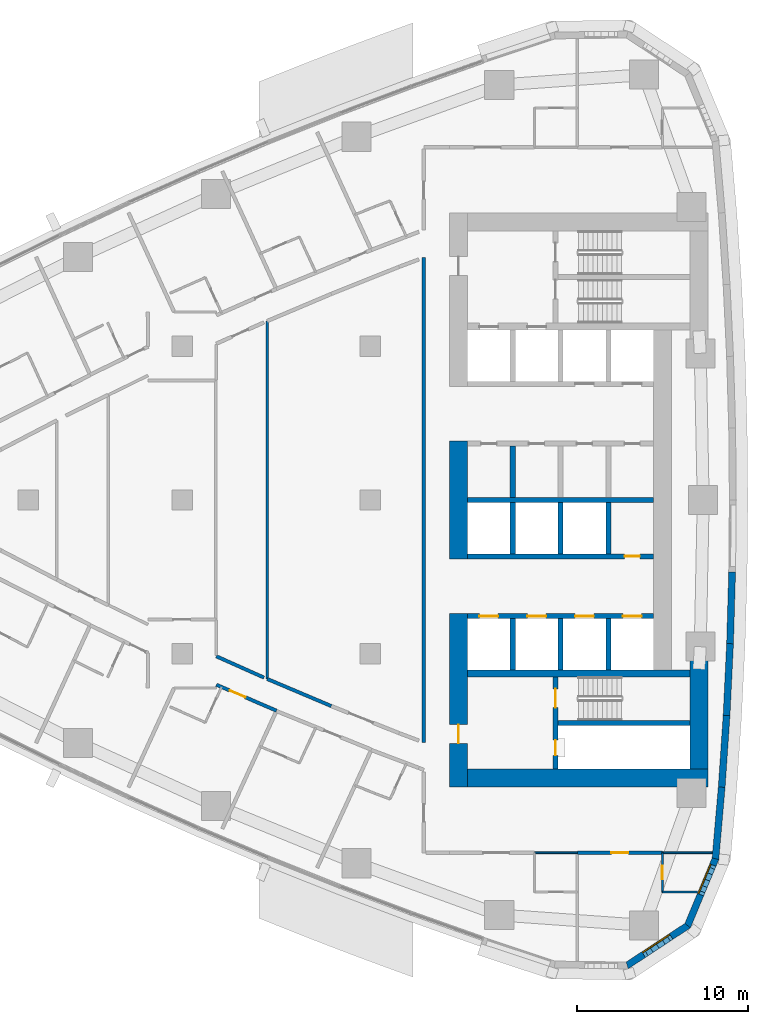
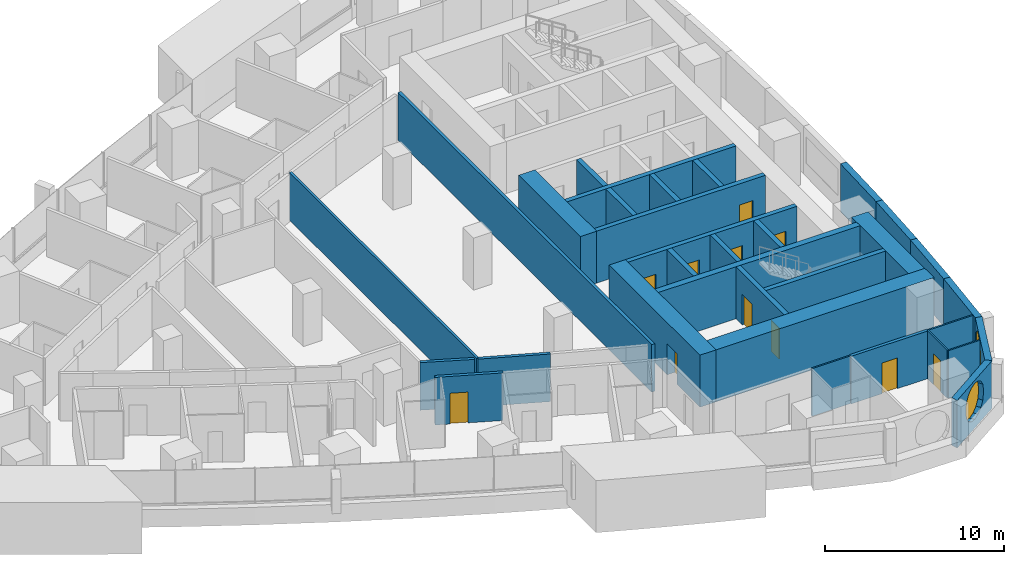
# One storey, part 10 of 17: 33 walls, 11 doors, 2 windows, 13 openings.
"""IFC4 building model written with IfcOpenShell, lengths in metres."""

from ifc_helpers import new_model, si_unit, direction, frame, frame_2d, origin, place, context, subcontext, project, spatial, polyline, rectangle, outline, extrude, material, layer, layer_set, type_object, element, fill, save


model = new_model("IFC4")

# Units and contexts
model_context = context("Model", 3, precision=1e-05, world=origin(), true_north=direction((0.0, 1.0)))
body_context = subcontext(model_context, "Body", "Model", "MODEL_VIEW")
ifc_project = project(units=[si_unit("LENGTHUNIT", "METRE"), si_unit("AREAUNIT", "SQUARE_METRE"), si_unit("VOLUMEUNIT", "CUBIC_METRE"), si_unit("PLANEANGLEUNIT", "RADIAN"), si_unit("MASSUNIT", "GRAM", prefix="KILO")], contexts=[model_context])

# Site, building, storey
site_placement = place(None, origin())
site = spatial("IfcSite", under=ifc_project, at=site_placement, CompositionType="ELEMENT")
building_placement = place(site_placement, origin())
building = spatial("IfcBuilding", under=site, at=building_placement, Name="Ostrand Prow Hotel Tower", CompositionType="ELEMENT")
storey_placement = place(building_placement, frame((0.0, 0.0, 109.75)))
storey = spatial("IfcBuildingStorey", under=building, at=storey_placement, Name="L26", CompositionType="ELEMENT", Elevation=109.75)

# Wall
ifc_material_1 = material(Name="Concrete C80/95", Category="concrete")
ifc_layer_1 = layer(ifc_material_1, 1.050048828125)
ifc_layer_set_1 = layer_set([ifc_layer_1], Name="Concrete C80/95")
wall_type_1 = type_object("IfcWallType", Name="Core wall 1050 C80/95", PredefinedType="SHEAR", material=ifc_layer_set_1)
wall_1_placement = place(storey_placement, frame((50.175048828125, -3.449951171875, 0.0), z_axis=(0.0, 0.0, 1.0), x_axis=(0.0, 1.0, 0.0)))
element("IfcWall", 1, at=wall_1_placement, inside=storey, type_object=wall_type_1, Name="Core wall CW-W-C", PredefinedType="SHEAR", context=body_context, shape_type="SweptSolid", body=[
    extrude(rectangle(XDim=6.89990234375, YDim=1.050048828125, at=frame_2d((3.449951171875, 0.0))), origin(), (0.0, 0.0, 1.0), 3.550048828125),
])

# Wall, opening, door
wall_2_placement = place(storey_placement, frame((50.175048828125, -16.800048828125, 0.0), z_axis=(0.0, 0.0, 1.0), x_axis=(0.0, 1.0, 0.0)))
wall_2 = element("IfcWall", 2, at=wall_2_placement, inside=storey, type_object=wall_type_1, Name="Core wall CW-W-S", PredefinedType="SHEAR", context=body_context, shape_type="SweptSolid", body=[
    extrude(rectangle(XDim=10.150146484375, YDim=1.050048828125, at=frame_2d((5.0751953125, 0.0))), origin(), (0.0, 0.0, 1.0), 3.550048828125),
])
opening_1_placement = place(wall_2_placement, frame((2.550048828125, 0.0, 0.0)))
opening_1 = element("IfcOpeningElement", 3, at=opening_1_placement, cuts=wall_2, Name="Opening FD1", PredefinedType="OPENING", context=body_context, shape_type="SweptSolid", body=[
    extrude(rectangle(XDim=1.10009765625, YDim=2.10009765625, at=frame_2d((0.550048828125, 1.050048828125))), frame((0.0, 0.534912109375, 0.0), z_axis=(0.0, -1.0, 0.0), x_axis=(1.0, 0.0, 0.0)), (0.0, 0.0, 1.0), 1.070068359375),
])
ifc_material_2 = material(Name="Steel fire door", Category="steel")
door_type_1 = type_object("IfcDoorType", Name="Fire door 1100 EI120", OperationType="SINGLE_SWING_RIGHT", PredefinedType="DOOR", material=ifc_material_2)
door_1_placement = place(opening_1_placement, origin())
door_1 = element("IfcDoor", 4, at=door_1_placement, inside=storey, type_object=door_type_1, Name="FIRE DOOR", OperationType="SINGLE_SWING_RIGHT", OverallHeight=2.10009765625, OverallWidth=1.10009765625, PredefinedType="DOOR", context=body_context, shape_type="SweptSolid", body=[
    extrude(rectangle(XDim=1.10009765625, YDim=2.10009765625, at=frame_2d((0.550048828125, 1.050048828125))), frame((0.0, 0.02490234375, 0.0), z_axis=(0.0, -1.0, 0.0), x_axis=(1.0, 0.0, 0.0)), (0.0, 0.0, 1.0), 0.050048828125),
])
fill(opening_1, door_1)

# Walls
wall_3_placement = place(storey_placement, frame((50.699951171875, -16.27490234375, 0.0), z_axis=(0.0, 0.0, 1.0), x_axis=(1.0, 0.0, 0.0)))
element("IfcWall", 5, at=wall_3_placement, inside=storey, type_object=wall_type_1, Name="Core wall CW-S", PredefinedType="SHEAR", context=body_context, shape_type="SweptSolid", body=[
    extrude(rectangle(XDim=14.070068359375, YDim=1.050048828125, at=frame_2d((7.03515625, 0.0))), origin(), (0.0, 0.0, 1.0), 3.550048828125),
])
wall_4_placement = place(storey_placement, frame((64.2451171875, -15.75, 0.0), z_axis=(0.0, 0.0, 1.0), x_axis=(0.0, 1.0, 0.0)))
element("IfcWall", 6, at=wall_4_placement, inside=storey, type_object=wall_type_1, Name="Core wall CW-E-S", PredefinedType="SHEAR", context=body_context, shape_type="SweptSolid", body=[
    extrude(rectangle(XDim=6.361328125, YDim=1.050048828125, at=frame_2d((3.1806640625, 0.0))), origin(), (0.0, 0.0, 1.0), 3.550048828125),
])
ifc_material_3 = material(Name="Concrete C80/95", Category="concrete")
ifc_layer_2 = layer(ifc_material_3, 0.300048828125)
ifc_layer_set_2 = layer_set([ifc_layer_2], Name="Concrete C80/95")
wall_type_2 = type_object("IfcWallType", Name="Core wall 300 C80/95", PredefinedType="SHEAR", material=ifc_layer_set_2)
wall_5_placement = place(storey_placement, frame((50.699951171875, 0.0, 0.0), z_axis=(0.0, 0.0, 1.0), x_axis=(1.0, 0.0, 0.0)))
element("IfcWall", 7, at=wall_5_placement, inside=storey, type_object=wall_type_2, Name="Core wall PW-C", PredefinedType="SHEAR", context=body_context, shape_type="SweptSolid", body=[
    extrude(rectangle(XDim=10.900146484375, YDim=0.300048828125, at=frame_2d((5.4501953125, 0.0))), origin(), (0.0, 0.0, 1.0), 3.550048828125),
])
wall_6_placement = place(storey_placement, frame((53.35009765625, 0.14990234375, 0.0), z_axis=(0.0, 0.0, 1.0), x_axis=(0.0, 1.0, 0.0)))
element("IfcWall", 8, at=wall_6_placement, inside=storey, type_object=wall_type_2, Name="Core wall PW-R1-NB", PredefinedType="SHEAR", context=body_context, shape_type="SweptSolid", body=[
    extrude(rectangle(XDim=3.0, YDim=0.300048828125, at=frame_2d((1.5, 0.0))), origin(), (0.0, 0.0, 1.0), 3.550048828125),
])

# Wall, opening, door
wall_7_placement = place(storey_placement, frame((50.699951171875, -3.300048828125, 0.0), z_axis=(0.0, 0.0, 1.0), x_axis=(1.0, 0.0, 0.0)))
wall_7 = element("IfcWall", 9, at=wall_7_placement, inside=storey, type_object=wall_type_2, Name="Core wall PW-L1-S", PredefinedType="SHEAR", context=body_context, shape_type="SweptSolid", body=[
    extrude(rectangle(XDim=10.900146484375, YDim=0.300048828125, at=frame_2d((5.4501953125, 0.0))), origin(), (0.0, 0.0, 1.0), 3.550048828125),
])
opening_2_placement = place(wall_7_placement, frame((9.199951171875, 0.0, 0.0)))
opening_2 = element("IfcOpeningElement", 10, at=opening_2_placement, cuts=wall_7, Name="Opening FD2", PredefinedType="OPENING", context=body_context, shape_type="SweptSolid", body=[
    extrude(rectangle(XDim=0.89990234375, YDim=2.10009765625, at=frame_2d((0.449951171875, 1.050048828125))), frame((0.0, 0.159912109375, 0.0), z_axis=(0.0, -1.0, 0.0), x_axis=(1.0, 0.0, 0.0)), (0.0, 0.0, 1.0), 0.320068359375),
])
ifc_material_4 = material(Name="Steel fire door", Category="steel")
door_type_2 = type_object("IfcDoorType", Name="Fire door 900 EI120", OperationType="SINGLE_SWING_LEFT", PredefinedType="DOOR", material=ifc_material_4)
door_2_placement = place(opening_2_placement, origin())
door_2 = element("IfcDoor", 11, at=door_2_placement, inside=storey, type_object=door_type_2, Name="DOOR", OperationType="SINGLE_SWING_LEFT", OverallHeight=2.10009765625, OverallWidth=0.89990234375, PredefinedType="DOOR", context=body_context, shape_type="SweptSolid", body=[
    extrude(rectangle(XDim=0.89990234375, YDim=2.10009765625, at=frame_2d((0.449951171875, 1.050048828125))), frame((0.0, 0.02490234375, 0.0), z_axis=(0.0, -1.0, 0.0), x_axis=(1.0, 0.0, 0.0)), (0.0, 0.0, 1.0), 0.050048828125),
])
fill(opening_2, door_2)

# Wall, openings, doors
wall_8_placement = place(storey_placement, frame((50.699951171875, -6.800048828125, 0.0), z_axis=(0.0, 0.0, 1.0), x_axis=(1.0, 0.0, 0.0)))
wall_8 = element("IfcWall", 12, at=wall_8_placement, inside=storey, type_object=wall_type_2, Name="Core wall PW-L2-S", PredefinedType="SHEAR", context=body_context, shape_type="SweptSolid", body=[
    extrude(rectangle(XDim=10.900146484375, YDim=0.300048828125, at=frame_2d((5.4501953125, 0.0))), origin(), (0.0, 0.0, 1.0), 3.550048828125),
])
opening_3_placement = place(wall_8_placement, frame((0.699951171875, 0.0, 0.0)))
opening_3 = element("IfcOpeningElement", 13, at=opening_3_placement, cuts=wall_8, Name="Opening LD", PredefinedType="OPENING", context=body_context, shape_type="SweptSolid", body=[
    extrude(rectangle(XDim=1.10009765625, YDim=2.10009765625, at=frame_2d((0.550048828125, 1.050048828125))), frame((0.0, 0.159912109375, 0.0), z_axis=(0.0, -1.0, 0.0), x_axis=(1.0, 0.0, 0.0)), (0.0, 0.0, 1.0), 0.320068359375),
])
opening_4_placement = place(wall_8_placement, frame((3.5, 0.0, 0.0)))
opening_4 = element("IfcOpeningElement", 14, at=opening_4_placement, cuts=wall_8, Name="Opening LD", PredefinedType="OPENING", context=body_context, shape_type="SweptSolid", body=[
    extrude(rectangle(XDim=1.10009765625, YDim=2.10009765625, at=frame_2d((0.550048828125, 1.050048828125))), frame((0.0, 0.159912109375, 0.0), z_axis=(0.0, -1.0, 0.0), x_axis=(1.0, 0.0, 0.0)), (0.0, 0.0, 1.0), 0.320068359375),
])
opening_5_placement = place(wall_8_placement, frame((6.300048828125, 0.0, 0.0)))
opening_5 = element("IfcOpeningElement", 15, at=opening_5_placement, cuts=wall_8, Name="Opening LD", PredefinedType="OPENING", context=body_context, shape_type="SweptSolid", body=[
    extrude(rectangle(XDim=1.10009765625, YDim=2.10009765625, at=frame_2d((0.550048828125, 1.050048828125))), frame((0.0, 0.159912109375, 0.0), z_axis=(0.0, -1.0, 0.0), x_axis=(1.0, 0.0, 0.0)), (0.0, 0.0, 1.0), 0.320068359375),
])
opening_6_placement = place(wall_8_placement, frame((9.10009765625, 0.0, 0.0)))
opening_6 = element("IfcOpeningElement", 16, at=opening_6_placement, cuts=wall_8, Name="Opening LD", PredefinedType="OPENING", context=body_context, shape_type="SweptSolid", body=[
    extrude(rectangle(XDim=1.10009765625, YDim=2.10009765625, at=frame_2d((0.550048828125, 1.050048828125))), frame((0.0, 0.159912109375, 0.0), z_axis=(0.0, -1.0, 0.0), x_axis=(1.0, 0.0, 0.0)), (0.0, 0.0, 1.0), 0.320068359375),
])
ifc_material_5 = material(Name="Stainless steel door", Category="steel")
door_type_3 = type_object("IfcDoorType", Name="Lift landing door 1100", OperationType="DOUBLE_DOOR_SLIDING", PredefinedType="DOOR", material=ifc_material_5)
door_3_placement = place(opening_3_placement, origin())
door_3 = element("IfcDoor", 17, at=door_3_placement, inside=storey, type_object=door_type_3, Name="LIFT LANDING DOOR", OperationType="DOUBLE_DOOR_SLIDING", OverallHeight=2.10009765625, OverallWidth=1.10009765625, PredefinedType="DOOR", context=body_context, shape_type="SweptSolid", body=[
    extrude(rectangle(XDim=1.10009765625, YDim=2.10009765625, at=frame_2d((0.550048828125, 1.050048828125))), frame((0.0, 0.02490234375, 0.0), z_axis=(0.0, -1.0, 0.0), x_axis=(1.0, 0.0, 0.0)), (0.0, 0.0, 1.0), 0.050048828125),
])
fill(opening_3, door_3)
door_4_placement = place(opening_4_placement, origin())
door_4 = element("IfcDoor", 18, at=door_4_placement, inside=storey, type_object=door_type_3, Name="LIFT LANDING DOOR", OperationType="DOUBLE_DOOR_SLIDING", OverallHeight=2.10009765625, OverallWidth=1.10009765625, PredefinedType="DOOR", context=body_context, shape_type="SweptSolid", body=[
    extrude(rectangle(XDim=1.10009765625, YDim=2.10009765625, at=frame_2d((0.550048828125, 1.050048828125))), frame((0.0, 0.02490234375, 0.0), z_axis=(0.0, -1.0, 0.0), x_axis=(1.0, 0.0, 0.0)), (0.0, 0.0, 1.0), 0.050048828125),
])
fill(opening_4, door_4)
door_5_placement = place(opening_5_placement, origin())
door_5 = element("IfcDoor", 19, at=door_5_placement, inside=storey, type_object=door_type_3, Name="LIFT LANDING DOOR", OperationType="DOUBLE_DOOR_SLIDING", OverallHeight=2.10009765625, OverallWidth=1.10009765625, PredefinedType="DOOR", context=body_context, shape_type="SweptSolid", body=[
    extrude(rectangle(XDim=1.10009765625, YDim=2.10009765625, at=frame_2d((0.550048828125, 1.050048828125))), frame((0.0, 0.02490234375, 0.0), z_axis=(0.0, -1.0, 0.0), x_axis=(1.0, 0.0, 0.0)), (0.0, 0.0, 1.0), 0.050048828125),
])
fill(opening_5, door_5)
door_6_placement = place(opening_6_placement, origin())
door_6 = element("IfcDoor", 20, at=door_6_placement, inside=storey, type_object=door_type_3, Name="LIFT LANDING DOOR", OperationType="DOUBLE_DOOR_SLIDING", OverallHeight=2.10009765625, OverallWidth=1.10009765625, PredefinedType="DOOR", context=body_context, shape_type="SweptSolid", body=[
    extrude(rectangle(XDim=1.10009765625, YDim=2.10009765625, at=frame_2d((0.550048828125, 1.050048828125))), frame((0.0, 0.02490234375, 0.0), z_axis=(0.0, -1.0, 0.0), x_axis=(1.0, 0.0, 0.0)), (0.0, 0.0, 1.0), 0.050048828125),
])
fill(opening_6, door_6)

# Walls
for number, where, z_axis, x_axis, name in (
    (21, (53.35009765625, -3.14990234375, 0.0), (0.0, 0.0, 1.0), (0.0, 1.0, 0.0), "Core wall PW-R1-SB"),
    (22, (53.35009765625, -9.949951171875, 0.0), (0.0, 0.0, 1.0), (0.0, 1.0, 0.0), "Core wall PW-R1-SA"),
    (23, (56.14990234375, -3.14990234375, 0.0), (0.0, 0.0, 1.0), (0.0, 1.0, 0.0), "Core wall PW-R2-SB"),
    (24, (56.14990234375, -9.949951171875, 0.0), (0.0, 0.0, 1.0), (0.0, 1.0, 0.0), "Core wall PW-R2-SA"),
    (25, (58.949951171875, -3.14990234375, 0.0), (0.0, 0.0, 1.0), (0.0, 1.0, 0.0), "Core wall PW-R3-SB"),
    (26, (58.949951171875, -9.949951171875, 0.0), (0.0, 0.0, 1.0), (0.0, 1.0, 0.0), "Core wall PW-R3-SA"),
):
    element("IfcWall", number, at=place(storey_placement, frame(where, z_axis=z_axis, x_axis=x_axis)), inside=storey, type_object=wall_type_2, Name=name, PredefinedType="SHEAR", context=body_context, shape_type="SweptSolid", body=[
        extrude(rectangle(XDim=3.0, YDim=0.300048828125, at=frame_2d((1.5, 0.0))), origin(), (0.0, 0.0, 1.0), 3.550048828125),
    ])

# Wall, openings, doors
wall_9_placement = place(storey_placement, frame((55.85009765625, -15.75, 0.0), z_axis=(0.0, 0.0, 1.0), x_axis=(0.0, 1.0, 0.0)))
wall_9 = element("IfcWall", 27, at=wall_9_placement, inside=storey, type_object=wall_type_2, Name="Core wall PW-VS", PredefinedType="SHEAR", context=body_context, shape_type="SweptSolid", body=[
    extrude(rectangle(XDim=5.39990234375, YDim=0.300048828125, at=frame_2d((2.699951171875, 0.0))), origin(), (0.0, 0.0, 1.0), 3.550048828125),
])
opening_7_placement = place(wall_9_placement, frame((3.60009765625, 0.0, 0.0)))
opening_7 = element("IfcOpeningElement", 28, at=opening_7_placement, cuts=wall_9, Name="Opening FD1", PredefinedType="OPENING", context=body_context, shape_type="SweptSolid", body=[
    extrude(rectangle(XDim=1.10009765625, YDim=2.10009765625, at=frame_2d((0.550048828125, 1.050048828125))), frame((0.0, 0.159912109375, 0.0), z_axis=(0.0, -1.0, 0.0), x_axis=(1.0, 0.0, 0.0)), (0.0, 0.0, 1.0), 0.320068359375),
])
opening_8_placement = place(wall_9_placement, frame((0.800048828125, 0.0, 0.0)))
opening_8 = element("IfcOpeningElement", 29, at=opening_8_placement, cuts=wall_9, Name="Opening FD2", PredefinedType="OPENING", context=body_context, shape_type="SweptSolid", body=[
    extrude(rectangle(XDim=0.89990234375, YDim=2.10009765625, at=frame_2d((0.449951171875, 1.050048828125))), frame((0.0, 0.159912109375, 0.0), z_axis=(0.0, -1.0, 0.0), x_axis=(1.0, 0.0, 0.0)), (0.0, 0.0, 1.0), 0.320068359375),
])
door_7_placement = place(opening_7_placement, origin())
door_7 = element("IfcDoor", 30, at=door_7_placement, inside=storey, type_object=door_type_1, Name="FIRE DOOR", OperationType="SINGLE_SWING_RIGHT", OverallHeight=2.10009765625, OverallWidth=1.10009765625, PredefinedType="DOOR", context=body_context, shape_type="SweptSolid", body=[
    extrude(rectangle(XDim=1.10009765625, YDim=2.10009765625, at=frame_2d((0.550048828125, 1.050048828125))), frame((0.0, 0.02490234375, 0.0), z_axis=(0.0, -1.0, 0.0), x_axis=(1.0, 0.0, 0.0)), (0.0, 0.0, 1.0), 0.050048828125),
])
fill(opening_7, door_7)
door_8_placement = place(opening_8_placement, origin())
door_8 = element("IfcDoor", 31, at=door_8_placement, inside=storey, type_object=door_type_2, Name="FIRE DOOR", OperationType="SINGLE_SWING_LEFT", OverallHeight=2.10009765625, OverallWidth=0.89990234375, PredefinedType="DOOR", context=body_context, shape_type="SweptSolid", body=[
    extrude(rectangle(XDim=0.89990234375, YDim=2.10009765625, at=frame_2d((0.449951171875, 1.050048828125))), frame((0.0, 0.02490234375, 0.0), z_axis=(0.0, -1.0, 0.0), x_axis=(1.0, 0.0, 0.0)), (0.0, 0.0, 1.0), 0.050048828125),
])
fill(opening_8, door_8)

# Walls
wall_10_placement = place(storey_placement, frame((56.0, -13.050048828125, 0.0), z_axis=(0.0, 0.0, 1.0), x_axis=(1.0, 0.0, 0.0)))
element("IfcWall", 32, at=wall_10_placement, inside=storey, type_object=wall_type_2, Name="Core wall PW-ST2R", PredefinedType="SHEAR", context=body_context, shape_type="SweptSolid", body=[
    extrude(rectangle(XDim=7.719970703125, YDim=0.300048828125, at=frame_2d((3.85986328125, 0.0))), origin(), (0.0, 0.0, 1.0), 3.550048828125),
])
ifc_material_6 = material(Name="Concrete C80/95", Category="concrete")
ifc_layer_3 = layer(ifc_material_6, 0.39990234375)
ifc_layer_set_3 = layer_set([ifc_layer_3], Name="Concrete C80/95")
wall_type_3 = type_object("IfcWallType", Name="Core wall 400 C80/95", PredefinedType="SHEAR", material=ifc_layer_set_3)
wall_11_placement = place(storey_placement, frame((50.699951171875, -10.14990234375, 0.0), z_axis=(0.0, 0.0, 1.0), x_axis=(1.0, 0.0, 0.0)))
element("IfcWall", 33, at=wall_11_placement, inside=storey, type_object=wall_type_3, Name="Core wall PW-BS", PredefinedType="SHEAR", context=body_context, shape_type="SweptSolid", body=[
    extrude(rectangle(XDim=13.02001953125, YDim=0.39990234375, at=frame_2d((6.510009765625, 0.0))), origin(), (0.0, 0.0, 1.0), 3.550048828125),
])
ifc_material_7 = material(Name="Plasterboard partition")
ifc_layer_4 = layer(ifc_material_7, 0.10009765625)
ifc_layer_set_4 = layer_set([ifc_layer_4], Name="Plasterboard partition")
wall_type_4 = type_object("IfcWallType", Name="Partition 100 bathroom wall", PredefinedType="PARTITIONING", material=ifc_layer_set_4)
wall_12_placement = place(storey_placement, frame((64.160400390625, -22.949951171875, 0.0), z_axis=(0.0, 0.0, 1.0), x_axis=(-1.0, 0.0, 0.0)))
element("IfcWall", 34, at=wall_12_placement, inside=storey, type_object=wall_type_4, Name="BATHROOM WALL", PredefinedType="PARTITIONING", context=body_context, shape_type="SweptSolid", body=[
    extrude(rectangle(XDim=2.04931640625, YDim=0.10009765625, at=frame_2d((1.024658203125, 0.0))), origin(), (0.0, 0.0, 1.0), 3.25),
])

# Wall, opening, door
wall_13_placement = place(storey_placement, frame((62.111083984375, -22.949951171875, 0.0), z_axis=(0.0, 0.0, 1.0), x_axis=(0.0, 1.0, 0.0)))
wall_13 = element("IfcWall", 35, at=wall_13_placement, inside=storey, type_object=wall_type_4, Name="BATHROOM WALL", PredefinedType="PARTITIONING", context=body_context, shape_type="SweptSolid", body=[
    extrude(rectangle(XDim=2.300048828125, YDim=0.10009765625, at=frame_2d((1.14990234375, 0.0))), origin(), (0.0, 0.0, 1.0), 3.25),
])
opening_9_placement = place(wall_13_placement, frame((0.75, 0.0, 0.0)))
opening_9 = element("IfcOpeningElement", 36, at=opening_9_placement, cuts=wall_13, Name="Opening D2", PredefinedType="OPENING", context=body_context, shape_type="SweptSolid", body=[
    extrude(rectangle(XDim=0.800048828125, YDim=2.10009765625, at=frame_2d((0.39990234375, 1.050048828125))), frame((0.0, 0.06005859375, 0.0), z_axis=(0.0, -1.0, 0.0), x_axis=(1.0, 0.0, 0.0)), (0.0, 0.0, 1.0), 0.1201171875),
])
ifc_material_8 = material(Name="Timber door leaf", Category="wood")
door_type_4 = type_object("IfcDoorType", Name="Bathroom door 800", OperationType="SINGLE_SWING_LEFT", PredefinedType="DOOR", material=ifc_material_8)
door_9_placement = place(opening_9_placement, origin())
door_9 = element("IfcDoor", 37, at=door_9_placement, inside=storey, type_object=door_type_4, Name="DOOR", OperationType="SINGLE_SWING_LEFT", OverallHeight=2.10009765625, OverallWidth=0.800048828125, PredefinedType="DOOR", context=body_context, shape_type="SweptSolid", body=[
    extrude(rectangle(XDim=0.800048828125, YDim=2.10009765625, at=frame_2d((0.39990234375, 1.050048828125))), frame((0.0, 0.02490234375, 0.0), z_axis=(0.0, -1.0, 0.0), x_axis=(1.0, 0.0, 0.0)), (0.0, 0.0, 1.0), 0.050048828125),
])
fill(opening_9, door_9)

# Walls
wall_14_placement = place(storey_placement, frame((54.630615234375, -20.655029296875, 0.0), z_axis=(0.0, 0.0, 1.0), x_axis=(1.0, 0.0, 0.0)))
element("IfcWall", 38, at=wall_14_placement, inside=storey, type_object=wall_type_4, Name="BATHROOM WALL", PredefinedType="PARTITIONING", context=body_context, shape_type="SweptSolid", body=[
    extrude(rectangle(XDim=2.5, YDim=0.10009765625, at=frame_2d((1.25, 0.0))), origin(), (0.0, 0.0, 1.0), 3.25),
])
wall_15_placement = place(storey_placement, frame((62.111083984375, -20.655029296875, 0.0), z_axis=(0.0, 0.0, 1.0), x_axis=(1.0, 0.0, 0.0)))
element("IfcWall", 39, at=wall_15_placement, inside=storey, type_object=wall_type_4, Name="BATHROOM WALL", PredefinedType="PARTITIONING", context=body_context, shape_type="SweptSolid", body=[
    extrude(rectangle(XDim=2.90576171875, YDim=0.10009765625, at=frame_2d((1.452880859375, 0.0))), origin(), (0.0, 0.0, 1.0), 3.25),
])
ifc_material_9 = material(Name="Plasterboard partition")
ifc_layer_5 = layer(ifc_material_9, 0.14990234375)
ifc_layer_set_5 = layer_set([ifc_layer_5], Name="Plasterboard partition")
wall_type_5 = type_object("IfcWallType", Name="Partition 150 room partition", PredefinedType="PARTITIONING", material=ifc_layer_set_5)
wall_16_placement = place(storey_placement, frame((38.974609375, -10.474365234375, 0.0), z_axis=(0.0, 0.0, 1.0), x_axis=(0.0, 1.0, 0.0)))
element("IfcWall", 40, at=wall_16_placement, inside=storey, type_object=wall_type_5, Name="ROOM PARTITION", PredefinedType="PARTITIONING", context=body_context, shape_type="SweptSolid", body=[
    extrude(rectangle(XDim=20.94873046875, YDim=0.14990234375, at=frame_2d((10.474365234375, 0.0))), origin(), (0.0, 0.0, 1.0), 3.25),
])

# Wall, opening, door
ifc_material_10 = material(Name="Plasterboard partition")
ifc_layer_6 = layer(ifc_material_10, 0.199951171875)
ifc_layer_set_6 = layer_set([ifc_layer_6], Name="Plasterboard partition")
wall_type_6 = type_object("IfcWallType", Name="Partition 200 corridor wall", PredefinedType="PARTITIONING", material=ifc_layer_set_6)
wall_17_placement = place(storey_placement, frame((36.0, -10.814697265625, 0.0), z_axis=(0.0, 0.0, 1.0), x_axis=(0.918174446699, -0.396176331233, 0.0)))
wall_17 = element("IfcWall", 41, at=wall_17_placement, inside=storey, type_object=wall_type_6, Name="CORRIDOR WALL", PredefinedType="PARTITIONING", context=body_context, shape_type="SweptSolid", body=[
    extrude(rectangle(XDim=3.836181640625, YDim=0.199951171875, at=frame_2d((1.91796875, 0.0))), origin(), (0.0, 0.0, 1.0), 3.25),
])
opening_10_placement = place(wall_17_placement, frame((0.85009765625, 0.0, 0.0)))
opening_10 = element("IfcOpeningElement", 42, at=opening_10_placement, cuts=wall_17, Name="Opening D1", PredefinedType="OPENING", context=body_context, shape_type="SweptSolid", body=[
    extrude(rectangle(XDim=1.0, YDim=2.10009765625, at=frame_2d((0.5, 1.050048828125))), frame((0.0, 0.10986328125, 0.0), z_axis=(0.0, -1.0, 0.0), x_axis=(1.0, 0.0, 0.0)), (0.0, 0.0, 1.0), 0.219970703125),
])
ifc_material_11 = material(Name="Timber door leaf", Category="wood")
door_type_5 = type_object("IfcDoorType", Name="Guest room door 1000", OperationType="SINGLE_SWING_LEFT", PredefinedType="DOOR", material=ifc_material_11)
door_10_placement = place(opening_10_placement, origin())
door_10 = element("IfcDoor", 43, at=door_10_placement, inside=storey, type_object=door_type_5, Name="DOOR", OperationType="SINGLE_SWING_LEFT", OverallHeight=2.10009765625, OverallWidth=1.0, PredefinedType="DOOR", context=body_context, shape_type="SweptSolid", body=[
    extrude(rectangle(XDim=1.0, YDim=2.10009765625, at=frame_2d((0.5, 1.050048828125))), frame((0.0, 0.02490234375, 0.0), z_axis=(0.0, -1.0, 0.0), x_axis=(1.0, 0.0, 0.0)), (0.0, 0.0, 1.0), 0.050048828125),
])
fill(opening_10, door_10)

# Walls
wall_18_placement = place(storey_placement, frame((38.7919921875, -10.397216796875, 0.0), z_axis=(0.0, 0.0, 1.0), x_axis=(-0.913029587861, 0.407893333716, 0.0)))
element("IfcWall", 44, at=wall_18_placement, inside=storey, type_object=wall_type_6, Name="CORRIDOR WALL", PredefinedType="PARTITIONING", context=body_context, shape_type="SweptSolid", body=[
    extrude(rectangle(XDim=3.057861328125, YDim=0.199951171875, at=frame_2d((1.52880859375, 0.0))), origin(), (0.0, 0.0, 1.0), 3.25),
])
wall_19_placement = place(storey_placement, frame((42.727783203125, -12.0615234375, 0.0), z_axis=(0.0, 0.0, 1.0), x_axis=(-0.921030909625, 0.389489490891, 0.0)))
element("IfcWall", 45, at=wall_19_placement, inside=storey, type_object=wall_type_6, Name="CORRIDOR WALL", PredefinedType="PARTITIONING", context=body_context, shape_type="SweptSolid", body=[
    extrude(rectangle(XDim=4.074951171875, YDim=0.199951171875, at=frame_2d((2.03759765625, 0.0))), origin(), (0.0, 0.0, 1.0), 3.25),
])

# Wall, opening, door
wall_20_placement = place(storey_placement, frame((57.135498046875, -20.655029296875, 0.0), z_axis=(0.0, 0.0, 1.0), x_axis=(1.0, 0.0, 0.0)))
wall_20 = element("IfcWall", 46, at=wall_20_placement, inside=storey, type_object=wall_type_6, Name="CORRIDOR WALL", PredefinedType="PARTITIONING", context=body_context, shape_type="SweptSolid", body=[
    extrude(rectangle(XDim=4.970703125, YDim=0.199951171875, at=frame_2d((2.4853515625, 0.0))), origin(), (0.0, 0.0, 1.0), 3.25),
])
opening_11_placement = place(wall_20_placement, frame((1.9853515625, 0.0, 0.0)))
opening_11 = element("IfcOpeningElement", 47, at=opening_11_placement, cuts=wall_20, Name="Opening D1R", PredefinedType="OPENING", context=body_context, shape_type="SweptSolid", body=[
    extrude(rectangle(XDim=1.0, YDim=2.10009765625, at=frame_2d((0.5, 1.050048828125))), frame((0.0, 0.10986328125, 0.0), z_axis=(0.0, -1.0, 0.0), x_axis=(1.0, 0.0, 0.0)), (0.0, 0.0, 1.0), 0.219970703125),
])
ifc_material_12 = material(Name="Timber door leaf", Category="wood")
door_type_6 = type_object("IfcDoorType", Name="Guest room door 1000 right", OperationType="SINGLE_SWING_RIGHT", PredefinedType="DOOR", material=ifc_material_12)
door_11_placement = place(opening_11_placement, origin())
door_11 = element("IfcDoor", 48, at=door_11_placement, inside=storey, type_object=door_type_6, Name="DOOR", OperationType="SINGLE_SWING_RIGHT", OverallHeight=2.10009765625, OverallWidth=1.0, PredefinedType="DOOR", context=body_context, shape_type="SweptSolid", body=[
    extrude(rectangle(XDim=1.0, YDim=2.10009765625, at=frame_2d((0.5, 1.050048828125))), frame((0.0, 0.02490234375, 0.0), z_axis=(0.0, -1.0, 0.0), x_axis=(1.0, 0.0, 0.0)), (0.0, 0.0, 1.0), 0.050048828125),
])
fill(opening_11, door_11)

# Wall
wall_21_placement = place(storey_placement, frame((48.14990234375, 14.188720703125, 0.0), z_axis=(0.0, 0.0, 1.0), x_axis=(0.0, -1.0, 0.0)))
element("IfcWall", 49, at=wall_21_placement, inside=storey, type_object=wall_type_6, Name="CORRIDOR WALL", PredefinedType="PARTITIONING", context=body_context, shape_type="SweptSolid", body=[
    extrude(rectangle(XDim=28.37744140625, YDim=0.199951171875, at=frame_2d((14.188720703125, 0.0))), origin(), (0.0, 0.0, 1.0), 3.25),
])

# Wall, opening, window
ifc_material_13 = material(Name="Precast concrete C40/50", Category="concrete")
ifc_layer_7 = layer(ifc_material_13, 0.39990234375)
ifc_layer_set_7 = layer_set([ifc_layer_7], Name="Precast concrete C40/50")
wall_type_7 = type_object("IfcWallType", Name="Stone-faced precast wall 400 mm", PredefinedType="NOTDEFINED", material=ifc_layer_set_7)
wall_22_placement = place(storey_placement, frame((60.048583984375, -27.245849609375, 0.0), z_axis=(0.0, 0.0, 1.0), x_axis=(0.835340523653, 0.549732852887, 0.0)))
wall_22 = element("IfcWall", 50, at=wall_22_placement, inside=storey, type_object=wall_type_7, Name="Stone-faced wall back 3", PredefinedType="NOTDEFINED", context=body_context, shape_type="SweptSolid", body=[
    extrude(outline(polyline([(-0.061279296875, -0.199951171875), (4.30029296875, -0.199951171875), (4.177734375, 0.199951171875), (0.061279296875, 0.199951171875), (-0.061279296875, -0.199951171875)])), origin(), (0.0, 0.0, 1.0), 3.25),
])
opening_12_placement = place(wall_22_placement, frame((1.01953125, 0.0, 0.60009765625)))
opening_12 = element("IfcOpeningElement", 51, at=opening_12_placement, cuts=wall_22, Name="Opening WP1", PredefinedType="OPENING", context=body_context, shape_type="SweptSolid", body=[
    extrude(outline(polyline([(0.0, 1.35009765625), (0.083740234375, 1.77099609375), (0.322265625, 2.127685546875), (0.678955078125, 2.3662109375), (1.10009765625, 2.449951171875), (1.52099609375, 2.3662109375), (1.877685546875, 2.127685546875), (2.1162109375, 1.77099609375), (2.199951171875, 1.35009765625), (2.199951171875, 1.10009765625), (2.1162109375, 0.678955078125), (1.877685546875, 0.322265625), (1.52099609375, 0.083740234375), (1.10009765625, 0.0), (0.678955078125, 0.083740234375), (0.322265625, 0.322265625), (0.083740234375, 0.678955078125), (0.0, 1.099853515625), (0.0, 1.35009765625)])), frame((0.0, 0.2099609375, 0.0), z_axis=(0.0, -1.0, 0.0), x_axis=(1.0, 0.0, 0.0)), (0.0, 0.0, 1.0), 0.419921875),
])
ifc_material_14 = material(Name="Insulated glass in bronze frame", Category="glass")
window_type_1 = type_object("IfcWindowType", Name="Round-ended prow window 2200x2450", PartitioningType="SINGLE_PANEL", PredefinedType="WINDOW", material=ifc_material_14)
window_1_placement = place(opening_12_placement, origin())
window_1 = element("IfcWindow", 52, at=window_1_placement, inside=storey, type_object=window_type_1, Name="Window back 3.1", OverallHeight=2.449951171875, OverallWidth=2.199951171875, PartitioningType="SINGLE_PANEL", PredefinedType="WINDOW", context=body_context, shape_type="SweptSolid", body=[
    extrude(outline(polyline([(0.0, 1.35009765625), (0.083740234375, 1.77099609375), (0.322265625, 2.127685546875), (0.678955078125, 2.3662109375), (1.10009765625, 2.449951171875), (1.52099609375, 2.3662109375), (1.877685546875, 2.127685546875), (2.1162109375, 1.77099609375), (2.199951171875, 1.35009765625), (2.199951171875, 1.10009765625), (2.1162109375, 0.678955078125), (1.877685546875, 0.322265625), (1.52099609375, 0.083740234375), (1.10009765625, 0.0), (0.678955078125, 0.083740234375), (0.322265625, 0.322265625), (0.083740234375, 0.678955078125), (0.0, 1.099853515625), (0.0, 1.35009765625)])), frame((0.0, 0.169921875, 0.0), z_axis=(0.0, -1.0, 0.0), x_axis=(1.0, 0.0, 0.0)), (0.0, 0.0, 1.0), 0.06005859375),
])
fill(opening_12, window_1)

wall_23_placement = place(storey_placement, frame((63.589599609375, -24.91552734375, 0.0), z_axis=(0.0, 0.0, 1.0), x_axis=(0.383997751971, 0.923334027577, 0.0)))
wall_23 = element("IfcWall", 53, at=wall_23_placement, inside=storey, type_object=wall_type_7, Name="Stone-faced wall back 4", PredefinedType="NOTDEFINED", context=body_context, shape_type="SweptSolid", body=[
    extrude(outline(polyline([(-0.061279296875, -0.199951171875), (4.269775390625, -0.199951171875), (4.207763671875, 0.199951171875), (0.061279296875, 0.199951171875), (-0.061279296875, -0.199951171875)])), origin(), (0.0, 0.0, 1.0), 3.25),
])
opening_13_placement = place(wall_23_placement, frame((1.852294921875, 0.0, 0.60009765625)))
opening_13 = element("IfcOpeningElement", 54, at=opening_13_placement, cuts=wall_23, Name="Opening WP1-21", PredefinedType="OPENING", context=body_context, shape_type="SweptSolid", body=[
    extrude(outline(polyline([(0.0, 1.39990234375), (0.079833984375, 1.8017578125), (0.3076171875, 2.142333984375), (0.648193359375, 2.3701171875), (1.050048828125, 2.449951171875), (1.451904296875, 2.3701171875), (1.79248046875, 2.142333984375), (2.020263671875, 1.8017578125), (2.10009765625, 1.39990234375), (2.10009765625, 1.050048828125), (2.020263671875, 0.648193359375), (1.79248046875, 0.3076171875), (1.451904296875, 0.079833984375), (1.050048828125, 0.0), (0.648193359375, 0.079833984375), (0.3076171875, 0.3076171875), (0.079833984375, 0.648193359375), (0.0, 1.050048828125), (0.0, 1.39990234375)])), frame((0.0, 0.2099609375, 0.0), z_axis=(0.0, -1.0, 0.0), x_axis=(1.0, 0.0, 0.0)), (0.0, 0.0, 1.0), 0.419921875),
])
ifc_material_15 = material(Name="Insulated glass in bronze frame", Category="glass")
window_type_2 = type_object("IfcWindowType", Name="Round-ended prow window 2100x2450", PartitioningType="SINGLE_PANEL", PredefinedType="WINDOW", material=ifc_material_15)
window_2_placement = place(opening_13_placement, origin())
window_2 = element("IfcWindow", 55, at=window_2_placement, inside=storey, type_object=window_type_2, Name="Window back 4.1", OverallHeight=2.449951171875, OverallWidth=2.10009765625, PartitioningType="SINGLE_PANEL", PredefinedType="WINDOW", context=body_context, shape_type="SweptSolid", body=[
    extrude(outline(polyline([(0.0, 1.39990234375), (0.079833984375, 1.8017578125), (0.3076171875, 2.142333984375), (0.648193359375, 2.3701171875), (1.050048828125, 2.449951171875), (1.451904296875, 2.3701171875), (1.79248046875, 2.142333984375), (2.020263671875, 1.8017578125), (2.10009765625, 1.39990234375), (2.10009765625, 1.050048828125), (2.020263671875, 0.648193359375), (1.79248046875, 0.3076171875), (1.451904296875, 0.079833984375), (1.050048828125, 0.0), (0.648193359375, 0.079833984375), (0.3076171875, 0.3076171875), (0.079833984375, 0.648193359375), (0.0, 1.050048828125), (0.0, 1.39990234375)])), frame((0.0, 0.169921875, 0.0), z_axis=(0.0, -1.0, 0.0), x_axis=(1.0, 0.0, 0.0)), (0.0, 0.0, 1.0), 0.06005859375),
])
fill(opening_13, window_2)

# Walls
wall_24_placement = place(storey_placement, frame((65.21728515625, -21.001708984375, 0.0), z_axis=(0.0, 0.0, 1.0), x_axis=(0.086992730434, 0.996208946382, 0.0)))
element("IfcWall", 56, at=wall_24_placement, inside=storey, type_object=wall_type_7, Name="Stone-faced wall back 5", PredefinedType="NOTDEFINED", context=body_context, shape_type="SweptSolid", body=[
    extrude(outline(polyline([(-0.031005859375, -0.199951171875), (4.208740234375, -0.199951171875), (4.204833984375, 0.199951171875), (0.031005859375, 0.199951171875), (-0.031005859375, -0.199951171875)])), origin(), (0.0, 0.0, 1.0), 3.25),
])
wall_25_placement = place(storey_placement, frame((65.583251953125, -16.810791015625, 0.0), z_axis=(0.0, 0.0, 1.0), x_axis=(0.067724559895, 0.997704056315, 0.0)))
element("IfcWall", 57, at=wall_25_placement, inside=storey, type_object=wall_type_7, Name="Stone-faced wall back 6", PredefinedType="NOTDEFINED", context=body_context, shape_type="SweptSolid", body=[
    extrude(outline(polyline([(-0.001953125, -0.199951171875), (4.208984375, -0.199951171875), (4.205078125, 0.199951171875), (0.001953125, 0.199951171875), (-0.001953125, -0.199951171875)])), origin(), (0.0, 0.0, 1.0), 3.25),
])
for number, where, z_axis, x_axis, name in (
    (58, (65.8681640625, -12.613525390625, 0.0), (0.0, 0.0, 1.0), (0.048342691508, 0.998830808585, 0.0), "Stone-faced wall back 7"),
    (59, (66.071533203125, -8.41162109375, 0.0), (0.0, 0.0, 1.0), (0.02901703777, 0.999578917104, 0.0), "Stone-faced wall back 8"),
):
    element("IfcWall", number, at=place(storey_placement, frame(where, z_axis=z_axis, x_axis=x_axis)), inside=storey, type_object=wall_type_7, Name=name, PredefinedType="NOTDEFINED", context=body_context, shape_type="SweptSolid", body=[
        extrude(outline(polyline([(-0.001953125, -0.199951171875), (4.208740234375, -0.199951171875), (4.204833984375, 0.199951171875), (0.001953125, 0.199951171875), (-0.001953125, -0.199951171875)])), origin(), (0.0, 0.0, 1.0), 3.25),
    ])

save(model, "model.ifc")
